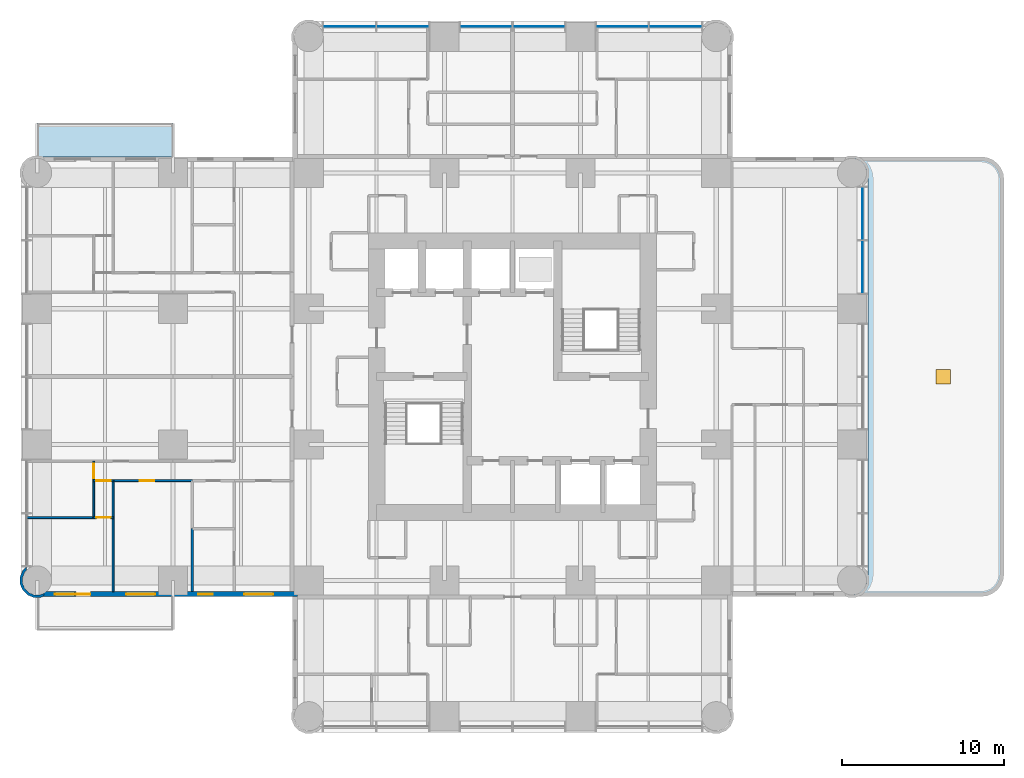
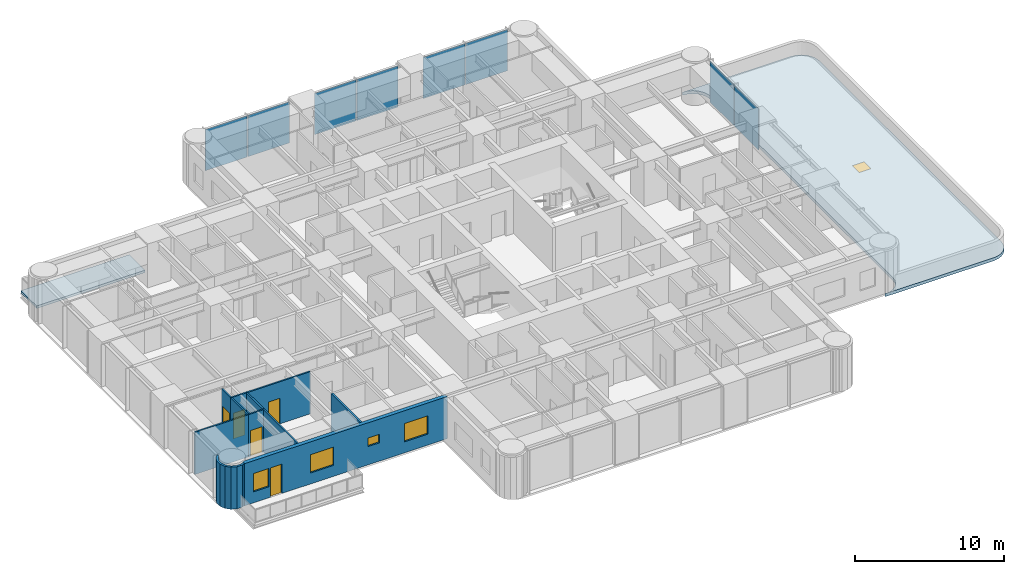
# One storey, part 4 of 12: 11 walls, 8 plates, 5 doors, 5 windows, 2 slabs, 10 openings, 2 elements without a shape of their own.
"""IFC4 building model written with IfcOpenShell, lengths in metres."""

import ifcopenshell
import ifcopenshell.guid

model = None  # the IFC model being written
_history = None  # IfcOwnerHistory: only IFC2X3 demands one
_inside = {}  # id of a spatial element -> (the spatial element, [elements in it])
_under = {}  # id of a project, library or spatial element -> (it, [spatial elements below it])
_declared = {}  # id of a project -> (the project, [libraries it declares])
_typed = {}  # id of a type object -> (the type object, [elements of that type])
_made_of = {}  # id of a material, layer set ... -> (it, [elements and type objects made of it])


def new_model(schema):
    """Start an empty IFC model of exactly this schema.

    Asked for "IFC4X3", IfcOpenShell would pick the latest addendum, in which some entities
    have other attributes; the version numbers below select the first issue.
    IFC2X3 requires an IfcOwnerHistory on every rooted entity: one is made here for all.
    """
    global model, _history
    if schema == "IFC4X3":
        model = ifcopenshell.file(schema_version=(4, 3, 0, 0))
    else:
        model = ifcopenshell.file(schema=schema)
    _inside.clear()
    _under.clear()
    _declared.clear()
    _typed.clear()
    _made_of.clear()
    _history = None
    if model.schema == "IFC2X3":
        org = make("IfcOrganization", Name="unknown")
        user = make(
            "IfcPersonAndOrganization",
            ThePerson=make("IfcPerson", FamilyName="unknown"),
            TheOrganization=org,
        )
        app = make(
            "IfcApplication",
            ApplicationDeveloper=org,
            Version="unknown",
            ApplicationFullName="unknown",
            ApplicationIdentifier="unknown",
        )
        _history = make(
            "IfcOwnerHistory",
            OwningUser=user,
            OwningApplication=app,
            ChangeAction="ADDED",
            CreationDate=0,
        )
    return model


def make(cls, **values):
    """One entity of the class cls with the attributes given. An attribute that is None is left unset."""
    return model.create_entity(
        cls, **{name: value for name, value in values.items() if value is not None}
    )


def rooted(cls, **values):
    """An entity with a GlobalId (a new one), such as an element, a storey or a relation."""
    return make(cls, GlobalId=ifcopenshell.guid.new(), OwnerHistory=_history, **values)


def si_unit(unit_type, name, prefix=None):
    """IfcSIUnit, for example si_unit("LENGTHUNIT", "METRE", prefix="MILLI")."""
    return make("IfcSIUnit", UnitType=unit_type, Prefix=prefix, Name=name)


def assignment(units):
    """IfcUnitAssignment: the units of a project."""
    return None if units is None else make("IfcUnitAssignment", Units=units)


def point(xyz):
    """IfcCartesianPoint."""
    return None if xyz is None else make("IfcCartesianPoint", Coordinates=xyz)


def direction(xyz):
    """IfcDirection."""
    return None if xyz is None else make("IfcDirection", DirectionRatios=xyz)


def frame(location, z_axis=None, x_axis=None):
    """IfcAxis2Placement3D, a coordinate frame: its origin and axes. An axis left out is left unset."""
    return make(
        "IfcAxis2Placement3D",
        Location=point(location),
        Axis=direction(z_axis),
        RefDirection=direction(x_axis),
    )


def frame_2d(location, x_axis=None):
    """IfcAxis2Placement2D, a coordinate frame in the plane: its origin and x axis."""
    return make(
        "IfcAxis2Placement2D", Location=point(location), RefDirection=direction(x_axis)
    )


def origin():
    """The frame at (0, 0, 0) with its axes left unset."""
    return frame((0.0, 0.0, 0.0))


def origin_2d():
    """The frame at (0, 0) in the plane with its x axis left unset."""
    return frame_2d((0.0, 0.0))


def place(relative_to, where):
    """IfcLocalPlacement: puts the frame where relative to a parent placement (None: the world)."""
    return make(
        "IfcLocalPlacement", PlacementRelTo=relative_to, RelativePlacement=where
    )


def context(
    kind, dimensions, precision=None, world=None, true_north=None, identifier=None
):
    """IfcGeometricRepresentationContext, for example the 3D "Model" context."""
    return make(
        "IfcGeometricRepresentationContext",
        ContextIdentifier=identifier,
        ContextType=kind,
        CoordinateSpaceDimension=dimensions,
        Precision=precision,
        WorldCoordinateSystem=world,
        TrueNorth=true_north,
    )


def subcontext(parent, identifier, kind, view, scale=None):
    """IfcGeometricRepresentationSubContext, for example "Body" below "Model"."""
    return make(
        "IfcGeometricRepresentationSubContext",
        ContextIdentifier=identifier,
        ContextType=kind,
        ParentContext=parent,
        TargetScale=scale,
        TargetView=view,
    )


def project(units=None, contexts=None):
    """IfcProject with its units and contexts."""
    return rooted(
        "IfcProject",
        Name="project",
        RepresentationContexts=contexts,
        UnitsInContext=assignment(units),
    )


def spatial(cls, under=None, at=None, **own):
    """A site, building, storey or space (cls), placed at a placement, below another one or the project."""
    s = rooted(cls, ObjectPlacement=at, **own)
    if under is not None:
        _under.setdefault(under.id(), (under, []))[1].append(s)
    return s


def polyline(points):
    """IfcPolyline through the points."""
    return make("IfcPolyline", Points=[point(p) for p in points])


def profile(cls, at=None, kind="AREA", **sizes):
    """A parametric profile (cls). Its sizes go by their IFC names, for example OverallWidth=200.0."""
    return make(cls, ProfileType=kind, Position=at, **sizes)


def rectangle(**sizes):
    """IfcRectangleProfileDef."""
    return profile("IfcRectangleProfileDef", **sizes)


def outline(outer, holes=None, kind="AREA"):
    """IfcArbitraryClosedProfileDef: a profile drawn as a closed curve; with holes, ...WithVoids."""
    if holes is None:
        return make("IfcArbitraryClosedProfileDef", ProfileType=kind, OuterCurve=outer)
    return make(
        "IfcArbitraryProfileDefWithVoids",
        ProfileType=kind,
        OuterCurve=outer,
        InnerCurves=holes,
    )


def extrude(swept, where, along, depth):
    """IfcExtrudedAreaSolid: the profile swept, set in the frame where, extruded along a direction by depth."""
    return make(
        "IfcExtrudedAreaSolid",
        SweptArea=swept,
        Position=where,
        ExtrudedDirection=direction(along),
        Depth=depth,
    )


def shape(context_of_items, identifier, shape_type, items):
    """IfcShapeRepresentation: the items that make up one representation, for example the "Body"."""
    return make(
        "IfcShapeRepresentation",
        ContextOfItems=context_of_items,
        RepresentationIdentifier=identifier,
        RepresentationType=shape_type,
        Items=items,
    )


def material(Name=None, Category=None):
    """IfcMaterial."""
    return make("IfcMaterial", Name=Name, Category=Category)


def layer(
    of_material, thickness, ventilated=None, Name=None, Category=None, Priority=None
):
    """IfcMaterialLayer: one layer of a wall or slab, of a material (None: an air gap)."""
    return make(
        "IfcMaterialLayer",
        Material=of_material,
        LayerThickness=thickness,
        IsVentilated=ventilated,
        Name=Name,
        Category=Category,
        Priority=Priority,
    )


def layer_set(layers, Name=None):
    """IfcMaterialLayerSet."""
    return make("IfcMaterialLayerSet", MaterialLayers=layers, LayerSetName=Name)


def made_of(thing, what):
    """Note that an element or type object is made of a material, layer set ...; save() writes the relation."""
    if what is not None:
        _made_of.setdefault(what.id(), (what, []))[1].append(thing)
    return thing


def type_object(cls, material=None, **own):
    """A type object (cls), such as IfcWallType, which elements share."""
    return made_of(rooted(cls, **own), material)


def element(
    cls,
    number,
    at=None,
    inside=None,
    cuts=None,
    type_object=None,
    material=None,
    context=None,
    identifier="Body",
    shape_type=None,
    held_by="IfcProductDefinitionShape",
    body=None,
    shapes=None,
    **own,
):
    """One element of the class cls, such as IfcWall. Its Tag is "e" and its number.

    at: its placement. inside: the storey or other place that contains it. cuts: it is an
    opening in that element (IfcRelVoidsElement). A single representation is given by context,
    identifier, shape_type and body (its items); several are given by shapes. held_by: the class
    of the entity that holds the representations. save() writes the other relations.
    """
    e = rooted(cls, Tag="e%d" % number, ObjectPlacement=at, **own)
    if body is not None:
        shapes = [shape(context, identifier, shape_type, body)]
    if shapes is not None:
        e.Representation = make(held_by, Representations=shapes)
    if inside is not None:
        _inside.setdefault(inside.id(), (inside, []))[1].append(e)
    if cuts is not None:
        rooted(
            "IfcRelVoidsElement", RelatingBuildingElement=cuts, RelatedOpeningElement=e
        )
    if type_object is not None:
        _typed.setdefault(type_object.id(), (type_object, []))[1].append(e)
    return made_of(e, material)


def fill(opening, filler):
    """IfcRelFillsElement: the door or window that sits in an opening."""
    return rooted(
        "IfcRelFillsElement",
        RelatingOpeningElement=opening,
        RelatedBuildingElement=filler,
    )


def aggregate(whole, parts):
    """IfcRelAggregates: a whole, such as a stair, and the parts it consists of."""
    return rooted("IfcRelAggregates", RelatingObject=whole, RelatedObjects=parts)


def save(model, path):
    """Write the relations noted so far, then the file.

    IfcRelAggregates (storeys below a building ...), IfcRelContainedInSpatialStructure (elements
    in a storey), IfcRelDefinesByType, IfcRelAssociatesMaterial and IfcRelDeclares: one each for
    every whole, place, type object, material and project.
    """
    for whole, parts in _under.values():
        aggregate(whole, parts)
    for where, things in _inside.values():
        rooted(
            "IfcRelContainedInSpatialStructure",
            RelatedElements=things,
            RelatingStructure=where,
        )
    for kind, things in _typed.values():
        rooted("IfcRelDefinesByType", RelatedObjects=things, RelatingType=kind)
    for what, things in _made_of.values():
        rooted("IfcRelAssociatesMaterial", RelatedObjects=things, RelatingMaterial=what)
    for by, libraries in _declared.values():
        rooted("IfcRelDeclares", RelatingContext=by, RelatedDefinitions=libraries)
    model.write(path)


model = new_model("IFC4")

# Units and contexts
model_context = context("Model", 3, precision=1e-05, world=origin(), true_north=direction((0.0, 1.0)))
body_context = subcontext(model_context, "Body", "Model", "MODEL_VIEW")
ifc_project = project(units=[si_unit("LENGTHUNIT", "METRE"), si_unit("AREAUNIT", "SQUARE_METRE"), si_unit("VOLUMEUNIT", "CUBIC_METRE"), si_unit("PLANEANGLEUNIT", "RADIAN"), si_unit("MASSUNIT", "GRAM", prefix="KILO")], contexts=[model_context])

# Site, building, storey
site_placement = place(None, origin())
site = spatial("IfcSite", under=ifc_project, at=site_placement, CompositionType="ELEMENT")
building_placement = place(site_placement, origin())
building = spatial("IfcBuilding", under=site, at=building_placement, Name="Torre Alcanfor", CompositionType="ELEMENT")
storey_placement = place(building_placement, frame((0.0, 0.0, 183.300048828125)))
storey = spatial("IfcBuildingStorey", under=building, at=storey_placement, Name="L47", CompositionType="ELEMENT", Elevation=183.300048828125)

# Slab
ifc_material_1 = material(Name="Concrete f'c 35 MPa", Category="concrete")
ifc_layer_1 = layer(ifc_material_1, 0.199951171875)
ifc_layer_set_1 = layer_set([ifc_layer_1], Name="Balcony slab 200")
slab_type_1 = type_object("IfcSlabType", Name="Balcony slab 200", PredefinedType="FLOOR", material=ifc_layer_set_1)
slab_1_placement = place(storey_placement, frame((0.0, 0.0, -0.199951171875)))
element("IfcSlab", 1, at=slab_1_placement, inside=storey, type_object=slab_type_1, Name="Balcony L47-W2", PredefinedType="FLOOR", context=body_context, shape_type="SweptSolid", body=[
    extrude(outline(polyline([(8.39990234375, 45.10009765625), (0.0, 45.10009765625), (0.0, 43.0), (8.39990234375, 43.0), (8.39990234375, 45.10009765625)])), origin(), (0.0, 0.0, 1.0), 0.199951171875),
])

# Curtain wall, plates
ifc_material_2 = material(Name="Aluminium and glass", Category="aluminium")
curtain_wall_type = type_object("IfcCurtainWallType", Name="CW-A unitised apartment glazing with vertical FIN", PredefinedType="NOTDEFINED", material=ifc_material_2)
curtain_wall_1_placement = place(storey_placement, origin())
curtain_wall_1 = element("IfcCurtainWall", 2, at=curtain_wall_1_placement, inside=storey, type_object=curtain_wall_type, Name="Curtain wall CW-A L47 8", PredefinedType="NOTDEFINED")
ifc_material_3 = material(Name="Glass", Category="glass")
ifc_layer_2 = layer(ifc_material_3, 0.028076171875)
ifc_layer_set_2 = layer_set([ifc_layer_2], Name="CW-A clear double glazed unit")
plate_type = type_object("IfcPlateType", Name="CW-A clear double glazed unit", PredefinedType="CURTAIN_PANEL", material=ifc_layer_set_2)
plate_1_placement = place(storey_placement, frame((51.050048828125, 36.186279296875, 0.0), z_axis=(0.0, 0.0, 1.0), x_axis=(0.0, 1.0, 0.0)))
plate_1 = element("IfcPlate", 3, at=plate_1_placement, type_object=plate_type, Name="CW-A panel 3.1.1", PredefinedType="CURTAIN_PANEL", context=body_context, shape_type="SweptSolid", body=[
    extrude(rectangle(XDim=3.232666015625, YDim=0.028076171875, at=origin_2d()), origin(), (0.0, 0.0, 1.0), 3.385009765625),
])
plate_2_placement = place(storey_placement, frame((51.050048828125, 39.484130859375, 0.0), z_axis=(0.0, 0.0, 1.0), x_axis=(0.0, 1.0, 0.0)))
plate_2 = element("IfcPlate", 4, at=plate_2_placement, type_object=plate_type, Name="CW-A panel 3.2.1", PredefinedType="CURTAIN_PANEL", context=body_context, shape_type="SweptSolid", body=[
    extrude(rectangle(XDim=3.232666015625, YDim=0.028076171875, at=origin_2d()), origin(), (0.0, 0.0, 1.0), 3.385009765625),
])
aggregate(curtain_wall_1, [plate_1, plate_2])

curtain_wall_2_placement = place(storey_placement, origin())
curtain_wall_2 = element("IfcCurtainWall", 5, at=curtain_wall_2_placement, inside=storey, type_object=curtain_wall_type, Name="Curtain wall CW-A L47 11", PredefinedType="NOTDEFINED")
plate_3_placement = place(storey_placement, frame((39.484130859375, 51.050048828125, 0.0), z_axis=(0.0, 0.0, 1.0), x_axis=(-1.0, 0.0, 0.0)))
plate_3 = element("IfcPlate", 6, at=plate_3_placement, type_object=plate_type, Name="CW-A panel 1.1.1", PredefinedType="CURTAIN_PANEL", context=body_context, shape_type="SweptSolid", body=[
    extrude(rectangle(XDim=3.232666015625, YDim=0.028076171875, at=origin_2d()), origin(), (0.0, 0.0, 1.0), 3.385009765625),
])
plate_4_placement = place(storey_placement, frame((36.186279296875, 51.050048828125, 0.0), z_axis=(0.0, 0.0, 1.0), x_axis=(-1.0, 0.0, 0.0)))
plate_4 = element("IfcPlate", 7, at=plate_4_placement, type_object=plate_type, Name="CW-A panel 1.2.1", PredefinedType="CURTAIN_PANEL", context=body_context, shape_type="SweptSolid", body=[
    extrude(rectangle(XDim=3.232666015625, YDim=0.028076171875, at=origin_2d()), origin(), (0.0, 0.0, 1.0), 3.385009765625),
])
plate_5_placement = place(storey_placement, frame((31.03125, 51.050048828125, 0.0), z_axis=(0.0, 0.0, 1.0), x_axis=(-1.0, 0.0, 0.0)))
plate_5 = element("IfcPlate", 8, at=plate_5_placement, type_object=plate_type, Name="CW-A panel 2.1.1", PredefinedType="CURTAIN_PANEL", context=body_context, shape_type="SweptSolid", body=[
    extrude(rectangle(XDim=3.197509765625, YDim=0.028076171875, at=origin_2d()), origin(), (0.0, 0.0, 1.0), 3.385009765625),
])
plate_6_placement = place(storey_placement, frame((27.768798828125, 51.050048828125, 0.0), z_axis=(0.0, 0.0, 1.0), x_axis=(-1.0, 0.0, 0.0)))
plate_6 = element("IfcPlate", 9, at=plate_6_placement, type_object=plate_type, Name="CW-A panel 2.2.1", PredefinedType="CURTAIN_PANEL", context=body_context, shape_type="SweptSolid", body=[
    extrude(rectangle(XDim=3.197509765625, YDim=0.028076171875, at=origin_2d()), origin(), (0.0, 0.0, 1.0), 3.385009765625),
])
plate_7_placement = place(storey_placement, frame((22.613525390625, 51.050048828125, 0.0), z_axis=(0.0, 0.0, 1.0), x_axis=(-1.0, 0.0, 0.0)))
plate_7 = element("IfcPlate", 10, at=plate_7_placement, type_object=plate_type, Name="CW-A panel 3.1.1", PredefinedType="CURTAIN_PANEL", context=body_context, shape_type="SweptSolid", body=[
    extrude(rectangle(XDim=3.232666015625, YDim=0.028076171875, at=origin_2d()), origin(), (0.0, 0.0, 1.0), 3.385009765625),
])
plate_8_placement = place(storey_placement, frame((19.31591796875, 51.050048828125, 0.0), z_axis=(0.0, 0.0, 1.0), x_axis=(-1.0, 0.0, 0.0)))
plate_8 = element("IfcPlate", 11, at=plate_8_placement, type_object=plate_type, Name="CW-A panel 3.2.1", PredefinedType="CURTAIN_PANEL", context=body_context, shape_type="SweptSolid", body=[
    extrude(rectangle(XDim=3.232666015625, YDim=0.028076171875, at=origin_2d()), origin(), (0.0, 0.0, 1.0), 3.385009765625),
])
aggregate(curtain_wall_2, [plate_3, plate_4, plate_5, plate_6, plate_7, plate_8])

# Slab, opening, window
ifc_material_4 = material(Name="Concrete f'c 35 MPa", Category="concrete")
ifc_layer_3 = layer(ifc_material_4, 0.25)
ifc_layer_set_3 = layer_set([ifc_layer_3], Name="Roof slab 250")
slab_type_2 = type_object("IfcSlabType", Name="Roof slab 250", PredefinedType="ROOF", material=ifc_layer_set_3)
slab_2_placement = place(storey_placement, frame((0.0, 0.0, -0.25)))
slab_2 = element("IfcSlab", 12, at=slab_2_placement, inside=storey, type_object=slab_type_2, Name="Maintenance roof L47 1", PredefinedType="ROOF", context=body_context, shape_type="SweptSolid", body=[
    extrude(outline(polyline([(50.0, 43.0), (50.3623046875, 42.952392578125), (50.699951171875, 42.8125), (50.989990234375, 42.58984375), (51.21240234375, 42.300048828125), (51.352294921875, 41.96240234375), (51.39990234375, 41.60009765625), (51.39990234375, 17.199951171875), (51.352294921875, 16.837646484375), (51.21240234375, 16.5), (50.989990234375, 16.210205078125), (50.699951171875, 15.987548828125), (50.3623046875, 15.84765625), (50.0, 15.800048828125), (58.39990234375, 15.800048828125), (58.76220703125, 15.84765625), (59.10009765625, 15.987548828125), (59.389892578125, 16.210205078125), (59.6123046875, 16.5), (59.752197265625, 16.837646484375), (59.800048828125, 17.199951171875), (59.800048828125, 41.60009765625), (59.752197265625, 41.96240234375), (59.6123046875, 42.300048828125), (59.389892578125, 42.58984375), (59.10009765625, 42.8125), (58.76220703125, 42.952392578125), (58.39990234375, 43.0), (50.0, 43.0)])), origin(), (0.0, 0.0, 1.0), 0.25),
])
opening_1_placement = place(slab_2_placement, frame((56.050048828125, 29.39990234375, 0.0)))
opening_1 = element("IfcOpeningElement", 13, at=opening_1_placement, cuts=slab_2, Name="Opening RH1", PredefinedType="OPENING", context=body_context, shape_type="SweptSolid", body=[
    extrude(rectangle(XDim=0.89990234375, YDim=0.89990234375, at=origin_2d()), origin(), (0.0, 0.0, 1.0), 0.25),
])
ifc_material_5 = material(Name="Aluminium", Category="aluminium")
window_type_1 = type_object("IfcWindowType", Name="Roof access hatch 900x900", PartitioningType="SINGLE_PANEL", PredefinedType="SKYLIGHT", material=ifc_material_5)
window_1_placement = place(opening_1_placement, frame((0.0, 0.0, 0.199951171875)))
window_1 = element("IfcWindow", 14, at=window_1_placement, inside=storey, type_object=window_type_1, Name="Maintenance roof access hatch L47 1", OverallHeight=0.89990234375, OverallWidth=0.89990234375, PartitioningType="SINGLE_PANEL", PredefinedType="SKYLIGHT", context=body_context, shape_type="SweptSolid", body=[
    extrude(rectangle(XDim=0.89990234375, YDim=0.89990234375, at=origin_2d()), origin(), (0.0, 0.0, 1.0), 0.050048828125),
])
fill(opening_1, window_1)

# Wall, opening, door
ifc_material_6 = material(Name="Gypsum board on steel studs", Category="steel")
ifc_layer_4 = layer(ifc_material_6, 0.1201171875)
ifc_layer_set_4 = layer_set([ifc_layer_4], Name="Apartment partition 120")
wall_type_1 = type_object("IfcWallType", Name="Apartment partition 120", PredefinedType="PARTITIONING", material=ifc_layer_set_4)
wall_1_placement = place(storey_placement, frame((4.699951171875, 22.970947265625, 0.0), z_axis=(0.0, 0.0, 1.0), x_axis=(1.0, 0.0, 0.0)))
wall_1 = element("IfcWall", 15, at=wall_1_placement, inside=storey, type_object=wall_type_1, Name="Partition L47-W1-HALL / L47-W1-BED3", PredefinedType="PARTITIONING", context=body_context, shape_type="SweptSolid", body=[
    extrude(rectangle(XDim=4.900146484375, YDim=0.1201171875, at=frame_2d((2.4501953125, 0.0))), origin(), (0.0, 0.0, 1.0), 3.449951171875),
])
opening_2_placement = place(wall_1_placement, frame((1.64990234375, 0.0, 0.0)))
opening_2 = element("IfcOpeningElement", 16, at=opening_2_placement, cuts=wall_1, Name="Opening D-R1", PredefinedType="OPENING", context=body_context, shape_type="SweptSolid", body=[
    extrude(rectangle(XDim=0.89990234375, YDim=2.10009765625, at=frame_2d((0.449951171875, 1.050048828125))), frame((0.0, 0.070068359375, 0.0), z_axis=(0.0, -1.0, 0.0), x_axis=(1.0, 0.0, 0.0)), (0.0, 0.0, 1.0), 0.14013671875),
])
ifc_material_7 = material(Name="Timber", Category="wood")
door_type_1 = type_object("IfcDoorType", Name="Internal door 900x2100", OperationType="SINGLE_SWING_LEFT", PredefinedType="DOOR", material=ifc_material_7)
door_1_placement = place(opening_2_placement, frame((0.89990234375, 0.0, 0.0), z_axis=(0.0, 0.0, 1.0), x_axis=(-1.0, 0.0, 0.0)))
door_1 = element("IfcDoor", 17, at=door_1_placement, inside=storey, type_object=door_type_1, Name="Door L47-W1 bed3", OperationType="SINGLE_SWING_RIGHT", OverallHeight=2.10009765625, OverallWidth=0.89990234375, PredefinedType="DOOR", context=body_context, shape_type="SweptSolid", body=[
    extrude(rectangle(XDim=0.89990234375, YDim=2.10009765625, at=frame_2d((0.449951171875, 1.050048828125))), frame((0.0, 0.025146484375, 0.0), z_axis=(0.0, -1.0, 0.0), x_axis=(1.0, 0.0, 0.0)), (0.0, 0.0, 1.0), 0.050048828125),
])
fill(opening_2, door_1)

wall_2_placement = place(storey_placement, frame((3.5, 22.970947265625, 0.0), z_axis=(0.0, 0.0, 1.0), x_axis=(1.0, 0.0, 0.0)))
wall_2 = element("IfcWall", 18, at=wall_2_placement, inside=storey, type_object=wall_type_1, Name="Partition L47-W1-HALL / L47-W1-VEST", PredefinedType="PARTITIONING", context=body_context, shape_type="SweptSolid", body=[
    extrude(rectangle(XDim=1.199951171875, YDim=0.1201171875, at=frame_2d((0.60009765625, 0.0))), origin(), (0.0, 0.0, 1.0), 3.449951171875),
])
opening_3_placement = place(wall_2_placement, frame((0.14990234375, 0.0, 0.0)))
opening_3 = element("IfcOpeningElement", 19, at=opening_3_placement, cuts=wall_2, Name="Opening D-R1", PredefinedType="OPENING", context=body_context, shape_type="SweptSolid", body=[
    extrude(rectangle(XDim=0.89990234375, YDim=2.10009765625, at=frame_2d((0.449951171875, 1.050048828125))), frame((0.0, 0.070068359375, 0.0), z_axis=(0.0, -1.0, 0.0), x_axis=(1.0, 0.0, 0.0)), (0.0, 0.0, 1.0), 0.14013671875),
])
door_2_placement = place(opening_3_placement, frame((0.89990234375, 0.0, 0.0), z_axis=(0.0, 0.0, 1.0), x_axis=(-1.0, 0.0, 0.0)))
door_2 = element("IfcDoor", 20, at=door_2_placement, inside=storey, type_object=door_type_1, Name="Door L47-W1 vest", OperationType="SINGLE_SWING_RIGHT", OverallHeight=2.10009765625, OverallWidth=0.89990234375, PredefinedType="DOOR", context=body_context, shape_type="SweptSolid", body=[
    extrude(rectangle(XDim=0.89990234375, YDim=2.10009765625, at=frame_2d((0.449951171875, 1.050048828125))), frame((0.0, 0.025146484375, 0.0), z_axis=(0.0, -1.0, 0.0), x_axis=(1.0, 0.0, 0.0)), (0.0, 0.0, 1.0), 0.050048828125),
])
fill(opening_3, door_2)

wall_3_placement = place(storey_placement, frame((3.5, 24.1708984375, 0.0), z_axis=(0.0, 0.0, 1.0), x_axis=(0.0, -1.0, 0.0)))
wall_3 = element("IfcWall", 21, at=wall_3_placement, inside=storey, type_object=wall_type_1, Name="Partition L47-W1-HALL / L47-W1-BED2", PredefinedType="PARTITIONING", context=body_context, shape_type="SweptSolid", body=[
    extrude(rectangle(XDim=1.199951171875, YDim=0.1201171875, at=frame_2d((0.60009765625, 0.0))), origin(), (0.0, 0.0, 1.0), 3.449951171875),
])
opening_4_placement = place(wall_3_placement, frame((0.15087890625, 0.0, 0.0)))
opening_4 = element("IfcOpeningElement", 22, at=opening_4_placement, cuts=wall_3, Name="Opening D-R1", PredefinedType="OPENING", context=body_context, shape_type="SweptSolid", body=[
    extrude(rectangle(XDim=0.89990234375, YDim=2.10009765625, at=frame_2d((0.449951171875, 1.050048828125))), frame((0.0, 0.070068359375, 0.0), z_axis=(0.0, -1.0, 0.0), x_axis=(1.0, 0.0, 0.0)), (0.0, 0.0, 1.0), 0.14013671875),
])
door_3_placement = place(opening_4_placement, frame((0.89990234375, 0.0, 0.0), z_axis=(0.0, 0.0, 1.0), x_axis=(-1.0, 0.0, 0.0)))
door_3 = element("IfcDoor", 23, at=door_3_placement, inside=storey, type_object=door_type_1, Name="Door L47-W1 bed2", OperationType="SINGLE_SWING_RIGHT", OverallHeight=2.10009765625, OverallWidth=0.89990234375, PredefinedType="DOOR", context=body_context, shape_type="SweptSolid", body=[
    extrude(rectangle(XDim=0.89990234375, YDim=2.10009765625, at=frame_2d((0.449951171875, 1.050048828125))), frame((0.0, 0.025146484375, 0.0), z_axis=(0.0, -1.0, 0.0), x_axis=(1.0, 0.0, 0.0)), (0.0, 0.0, 1.0), 0.050048828125),
])
fill(opening_4, door_3)

# Walls
wall_4_placement = place(storey_placement, frame((4.699951171875, 22.970947265625, 0.0), z_axis=(0.0, 0.0, 1.0), x_axis=(0.0, -1.0, 0.0)))
element("IfcWall", 24, at=wall_4_placement, inside=storey, type_object=wall_type_1, Name="Partition L47-W1-BED3 / L47-W1-VEST", PredefinedType="PARTITIONING", context=body_context, shape_type="SweptSolid", body=[
    extrude(rectangle(XDim=2.284912109375, YDim=0.1201171875, at=frame_2d((1.142578125, 0.0))), origin(), (0.0, 0.0, 1.0), 3.449951171875),
])
wall_5_placement = place(storey_placement, frame((4.699951171875, 20.68603515625, 0.0), z_axis=(0.0, 0.0, 1.0), x_axis=(0.0, -1.0, 0.0)))
element("IfcWall", 25, at=wall_5_placement, inside=storey, type_object=wall_type_1, Name="Partition L47-W1-BED3 / L47-W1-MASTER", PredefinedType="PARTITIONING", context=body_context, shape_type="SweptSolid", body=[
    extrude(rectangle(XDim=4.5859375, YDim=0.1201171875, at=frame_2d((2.29296875, 0.0))), origin(), (0.0, 0.0, 1.0), 3.449951171875),
])
wall_6_placement = place(storey_placement, frame((3.5, 22.970947265625, 0.0), z_axis=(0.0, 0.0, 1.0), x_axis=(0.0, -1.0, 0.0)))
element("IfcWall", 26, at=wall_6_placement, inside=storey, type_object=wall_type_1, Name="Partition L47-W1-VEST / L47-W1-BED2", PredefinedType="PARTITIONING", context=body_context, shape_type="SweptSolid", body=[
    extrude(rectangle(XDim=2.284912109375, YDim=0.1201171875, at=frame_2d((1.142578125, 0.0))), origin(), (0.0, 0.0, 1.0), 3.449951171875),
])

# Wall, opening, door
wall_7_placement = place(storey_placement, frame((3.5, 20.68603515625, 0.0), z_axis=(0.0, 0.0, 1.0), x_axis=(1.0, 0.0, 0.0)))
wall_7 = element("IfcWall", 27, at=wall_7_placement, inside=storey, type_object=wall_type_1, Name="Partition L47-W1-VEST / L47-W1-MASTER", PredefinedType="PARTITIONING", context=body_context, shape_type="SweptSolid", body=[
    extrude(rectangle(XDim=1.199951171875, YDim=0.1201171875, at=frame_2d((0.60009765625, 0.0))), origin(), (0.0, 0.0, 1.0), 3.449951171875),
])
opening_5_placement = place(wall_7_placement, frame((0.14990234375, 0.0, 0.0)))
opening_5 = element("IfcOpeningElement", 28, at=opening_5_placement, cuts=wall_7, Name="Opening D-R1", PredefinedType="OPENING", context=body_context, shape_type="SweptSolid", body=[
    extrude(rectangle(XDim=0.89990234375, YDim=2.10009765625, at=frame_2d((0.449951171875, 1.050048828125))), frame((0.0, 0.070068359375, 0.0), z_axis=(0.0, -1.0, 0.0), x_axis=(1.0, 0.0, 0.0)), (0.0, 0.0, 1.0), 0.14013671875),
])
door_4_placement = place(opening_5_placement, origin())
door_4 = element("IfcDoor", 29, at=door_4_placement, inside=storey, type_object=door_type_1, Name="Door L47-W1 master", OperationType="SINGLE_SWING_LEFT", OverallHeight=2.10009765625, OverallWidth=0.89990234375, PredefinedType="DOOR", context=body_context, shape_type="SweptSolid", body=[
    extrude(rectangle(XDim=0.89990234375, YDim=2.10009765625, at=frame_2d((0.449951171875, 1.050048828125))), frame((0.0, 0.02490234375, 0.0), z_axis=(0.0, -1.0, 0.0), x_axis=(1.0, 0.0, 0.0)), (0.0, 0.0, 1.0), 0.050048828125),
])
fill(opening_5, door_4)

# Wall
wall_8_placement = place(storey_placement, frame((-0.64990234375, 20.68603515625, 0.0), z_axis=(0.0, 0.0, 1.0), x_axis=(1.0, 0.0, 0.0)))
element("IfcWall", 30, at=wall_8_placement, inside=storey, type_object=wall_type_1, Name="Partition L47-W1-BED2 / L47-W1-MASTER", PredefinedType="PARTITIONING", context=body_context, shape_type="SweptSolid", body=[
    extrude(rectangle(XDim=4.14990234375, YDim=0.1201171875, at=frame_2d((2.074951171875, 0.0))), origin(), (0.0, 0.0, 1.0), 3.449951171875),
])

# Wall, openings, door, windows
ifc_material_8 = material(Name="Limestone cladding", Category="masonry")
ifc_layer_5 = layer(ifc_material_8, 0.0400390625, Name="Facing")
ifc_material_9 = material(Name="Ventilated air cavity")
ifc_layer_6 = layer(ifc_material_9, 0.02001953125, ventilated=True, Name="Ventilated joint")
ifc_material_10 = material(Name="Mineral wool insulation", Category="insulation")
ifc_layer_7 = layer(ifc_material_10, 0.10009765625, Name="Insulation")
ifc_material_11 = material(Name="Concrete f'c 35 MPa", Category="concrete")
ifc_layer_8 = layer(ifc_material_11, 0.139892578125, Name="Backing")
ifc_layer_set_5 = layer_set([ifc_layer_5, ifc_layer_6, ifc_layer_7, ifc_layer_8], Name="External wall stone-clad 300")
wall_type_2 = type_object("IfcWallType", Name="External wall stone-clad 300", PredefinedType="SOLIDWALL", material=ifc_layer_set_5)
wall_9_placement = place(storey_placement, frame((0.39990234375, 15.949951171875, 0.0), z_axis=(0.0, 0.0, 1.0), x_axis=(1.0, 0.0, 0.0)))
wall_9 = element("IfcWall", 31, at=wall_9_placement, inside=storey, type_object=wall_type_2, Name="External wall L47 3", PredefinedType="SOLIDWALL", context=body_context, shape_type="SweptSolid", body=[
    extrude(rectangle(XDim=15.7001953125, YDim=0.300048828125, at=frame_2d((7.85009765625, 0.0))), origin(), (0.0, 0.0, 1.0), 3.449951171875),
])
opening_6_placement = place(wall_9_placement, frame((12.39990234375, 0.0, 0.89990234375)))
opening_6 = element("IfcOpeningElement", 32, at=opening_6_placement, cuts=wall_9, Name="Opening W2", PredefinedType="OPENING", context=body_context, shape_type="SweptSolid", body=[
    extrude(rectangle(XDim=1.800048828125, YDim=1.5, at=frame_2d((0.89990234375, 0.75))), frame((0.0, 0.159912109375, 0.0), z_axis=(0.0, -1.0, 0.0), x_axis=(1.0, 0.0, 0.0)), (0.0, 0.0, 1.0), 0.320068359375),
])
opening_7_placement = place(wall_9_placement, frame((9.550048828125, 0.0, 1.5)))
opening_7 = element("IfcOpeningElement", 33, at=opening_7_placement, cuts=wall_9, Name="Opening W3", PredefinedType="OPENING", context=body_context, shape_type="SweptSolid", body=[
    extrude(rectangle(XDim=0.89990234375, YDim=0.699951171875, at=frame_2d((0.449951171875, 0.35009765625))), frame((0.0, 0.159912109375, 0.0), z_axis=(0.0, -1.0, 0.0), x_axis=(1.0, 0.0, 0.0)), (0.0, 0.0, 1.0), 0.320068359375),
])
opening_8_placement = place(wall_9_placement, frame((5.10009765625, 0.0, 0.89990234375)))
opening_8 = element("IfcOpeningElement", 34, at=opening_8_placement, cuts=wall_9, Name="Opening W2", PredefinedType="OPENING", context=body_context, shape_type="SweptSolid", body=[
    extrude(rectangle(XDim=1.800048828125, YDim=1.5, at=frame_2d((0.89990234375, 0.75))), frame((0.0, 0.159912109375, 0.0), z_axis=(0.0, -1.0, 0.0), x_axis=(1.0, 0.0, 0.0)), (0.0, 0.0, 1.0), 0.320068359375),
])
opening_9_placement = place(wall_9_placement, frame((2.0, 0.0, 0.0)))
opening_9 = element("IfcOpeningElement", 35, at=opening_9_placement, cuts=wall_9, Name="Opening D-B1", PredefinedType="OPENING", context=body_context, shape_type="SweptSolid", body=[
    extrude(rectangle(XDim=0.89990234375, YDim=2.39990234375, at=frame_2d((0.449951171875, 1.199951171875))), frame((0.0, 0.159912109375, 0.0), z_axis=(0.0, -1.0, 0.0), x_axis=(1.0, 0.0, 0.0)), (0.0, 0.0, 1.0), 0.320068359375),
])
opening_10_placement = place(wall_9_placement, frame((0.699951171875, 0.0, 0.89990234375)))
opening_10 = element("IfcOpeningElement", 36, at=opening_10_placement, cuts=wall_9, Name="Opening W4", PredefinedType="OPENING", context=body_context, shape_type="SweptSolid", body=[
    extrude(rectangle(XDim=1.199951171875, YDim=1.5, at=frame_2d((0.60009765625, 0.75))), frame((0.0, 0.159912109375, 0.0), z_axis=(0.0, -1.0, 0.0), x_axis=(1.0, 0.0, 0.0)), (0.0, 0.0, 1.0), 0.320068359375),
])
ifc_material_12 = material(Name="Aluminium and glass", Category="aluminium")
door_type_2 = type_object("IfcDoorType", Name="Balcony door glazed 900x2400", OperationType="SINGLE_SWING_LEFT", PredefinedType="DOOR", material=ifc_material_12)
door_5_placement = place(opening_9_placement, origin())
door_5 = element("IfcDoor", 37, at=door_5_placement, inside=storey, type_object=door_type_2, Name="Balcony door L47-W1", OperationType="SINGLE_SWING_RIGHT", OverallHeight=2.39990234375, OverallWidth=0.89990234375, PredefinedType="DOOR", context=body_context, shape_type="SweptSolid", body=[
    extrude(rectangle(XDim=0.89990234375, YDim=2.39990234375, at=frame_2d((0.449951171875, 1.199951171875))), frame((0.0, 0.02490234375, 0.0), z_axis=(0.0, -1.0, 0.0), x_axis=(1.0, 0.0, 0.0)), (0.0, 0.0, 1.0), 0.050048828125),
])
fill(opening_9, door_5)
ifc_material_13 = material(Name="Aluminium frame with clear double glazing", Category="aluminium")
window_type_2 = type_object("IfcWindowType", Name="Window bathroom 900x700", PartitioningType="SINGLE_PANEL", PredefinedType="WINDOW", material=ifc_material_13)
window_2_placement = place(opening_7_placement, origin())
window_2 = element("IfcWindow", 38, at=window_2_placement, inside=storey, type_object=window_type_2, Name="Window W3 L47-W1", OverallHeight=0.699951171875, OverallWidth=0.89990234375, PartitioningType="SINGLE_PANEL", PredefinedType="WINDOW", context=body_context, shape_type="SweptSolid", body=[
    extrude(rectangle(XDim=0.89990234375, YDim=0.699951171875, at=frame_2d((0.449951171875, 0.35009765625))), frame((0.0, 0.030029296875, 0.0), z_axis=(0.0, -1.0, 0.0), x_axis=(1.0, 0.0, 0.0)), (0.0, 0.0, 1.0), 0.06005859375),
])
fill(opening_7, window_2)
ifc_material_14 = material(Name="Aluminium frame with clear double glazing", Category="aluminium")
window_type_3 = type_object("IfcWindowType", Name="Window bedroom 1200x1500", PartitioningType="SINGLE_PANEL", PredefinedType="WINDOW", material=ifc_material_14)
window_3_placement = place(opening_10_placement, origin())
window_3 = element("IfcWindow", 39, at=window_3_placement, inside=storey, type_object=window_type_3, Name="Window W4 L47-W1", OverallHeight=1.5, OverallWidth=1.199951171875, PartitioningType="SINGLE_PANEL", PredefinedType="WINDOW", context=body_context, shape_type="SweptSolid", body=[
    extrude(rectangle(XDim=1.199951171875, YDim=1.5, at=frame_2d((0.60009765625, 0.75))), frame((0.0, 0.030029296875, 0.0), z_axis=(0.0, -1.0, 0.0), x_axis=(1.0, 0.0, 0.0)), (0.0, 0.0, 1.0), 0.06005859375),
])
fill(opening_10, window_3)
ifc_material_15 = material(Name="Aluminium frame with clear double glazing", Category="aluminium")
window_type_4 = type_object("IfcWindowType", Name="Window bedroom 1800x1500", PartitioningType="SINGLE_PANEL", PredefinedType="WINDOW", material=ifc_material_15)
window_4_placement = place(opening_6_placement, origin())
window_4 = element("IfcWindow", 40, at=window_4_placement, inside=storey, type_object=window_type_4, Name="Window W2 L47-W1", OverallHeight=1.5, OverallWidth=1.800048828125, PartitioningType="SINGLE_PANEL", PredefinedType="WINDOW", context=body_context, shape_type="SweptSolid", body=[
    extrude(rectangle(XDim=1.800048828125, YDim=1.5, at=frame_2d((0.89990234375, 0.75))), frame((0.0, 0.030029296875, 0.0), z_axis=(0.0, -1.0, 0.0), x_axis=(1.0, 0.0, 0.0)), (0.0, 0.0, 1.0), 0.06005859375),
])
fill(opening_6, window_4)
window_5_placement = place(opening_8_placement, origin())
window_5 = element("IfcWindow", 41, at=window_5_placement, inside=storey, type_object=window_type_4, Name="Window W2 L47-W1", OverallHeight=1.5, OverallWidth=1.800048828125, PartitioningType="SINGLE_PANEL", PredefinedType="WINDOW", context=body_context, shape_type="SweptSolid", body=[
    extrude(rectangle(XDim=1.800048828125, YDim=1.5, at=frame_2d((0.89990234375, 0.75))), frame((0.0, 0.030029296875, 0.0), z_axis=(0.0, -1.0, 0.0), x_axis=(1.0, 0.0, 0.0)), (0.0, 0.0, 1.0), 0.06005859375),
])
fill(opening_8, window_5)

# Walls
ifc_layer_9 = layer(ifc_material_8, 0.0400390625, Name="Facing")
ifc_layer_10 = layer(ifc_material_9, 0.02001953125, ventilated=True, Name="Ventilated joint")
ifc_layer_11 = layer(ifc_material_10, 0.10009765625, Name="Insulation")
ifc_layer_12 = layer(ifc_material_11, 0.139892578125, Name="Backing")
ifc_layer_set_6 = layer_set([ifc_layer_9, ifc_layer_10, ifc_layer_11, ifc_layer_12], Name="Rounded corner pier stone-clad 300")
wall_type_3 = type_object("IfcWallType", Name="Rounded corner pier stone-clad 300", PredefinedType="SOLIDWALL", material=ifc_layer_set_6)
wall_10_placement = place(storey_placement, frame((-0.610519256, 17.56659392, 0.0), z_axis=(0.0, 0.0, 1.0), x_axis=(-0.926129809145, -0.377204953059, 0.0)))
element("IfcWall", 42, at=wall_10_placement, inside=storey, type_object=wall_type_3, Name="Corner pier L47 14", PredefinedType="SOLIDWALL", context=body_context, shape_type="SweptSolid", body=[
    extrude(outline(polyline([(-0.2694320048751383, 2.0171861008885523), (-0.3700526678318482, 1.8406866495551875), (-0.10232913830325796, 1.8423628952563784), (0.22959433821660935, 1.7071732294627), (0.4846648868960458, 1.4551341488862783), (0.6237723089217844, 1.1248457008471362), (0.6256501657648526, 0.7663568996565957), (0.49046049997117414, 0.4344334231367283), (0.2387396163581813, 0.17949688931473468), (0.09014163443691028, 0.11691195088889664), (0.010851237809964043, -0.07776523799639344), (0.024417592436116662, -0.08329070117597158), (0.32956848036437986, 0.045229547111777235), (0.4801338191951393, 0.19743274075920003), (0.4990091877024963, 0.1926447125875501), (0.5075557555746872, 0.2252788612711387), (0.6260018077392729, 0.3452223941390844), (0.7850430562581303, 0.7357073014618439), (0.782472278983801, 1.15721841463542), (0.6187061231885674, 1.5460551039454697), (0.3187132761612602, 1.8424884313203629), (-0.07154552525106339, 2.0014375887862275), (-0.2401131340992967, 2.00049972024067), (-0.2694320048751383, 2.0171861008885523)])), origin(), (0.0, 0.0, 1.0), 3.449951171875),
])
ifc_material_16 = material(Name="Cement board on steel studs", Category="steel")
ifc_layer_13 = layer(ifc_material_16, 0.14990234375)
ifc_layer_set_7 = layer_set([ifc_layer_13], Name="Wet area partition 150")
wall_type_4 = type_object("IfcWallType", Name="Wet area partition 150", PredefinedType="PARTITIONING", material=ifc_layer_set_7)
wall_11_placement = place(storey_placement, frame((9.60009765625, 20.0, 0.0), z_axis=(0.0, 0.0, 1.0), x_axis=(0.0, -1.0, 0.0)))
element("IfcWall", 43, at=wall_11_placement, inside=storey, type_object=wall_type_4, Name="Partition L47-W1-SBATH / L47-W1-BED3", PredefinedType="PARTITIONING", context=body_context, shape_type="SweptSolid", body=[
    extrude(rectangle(XDim=3.89990234375, YDim=0.14990234375, at=frame_2d((1.949951171875, 0.0))), origin(), (0.0, 0.0, 1.0), 3.449951171875),
])

save(model, "model.ifc")
